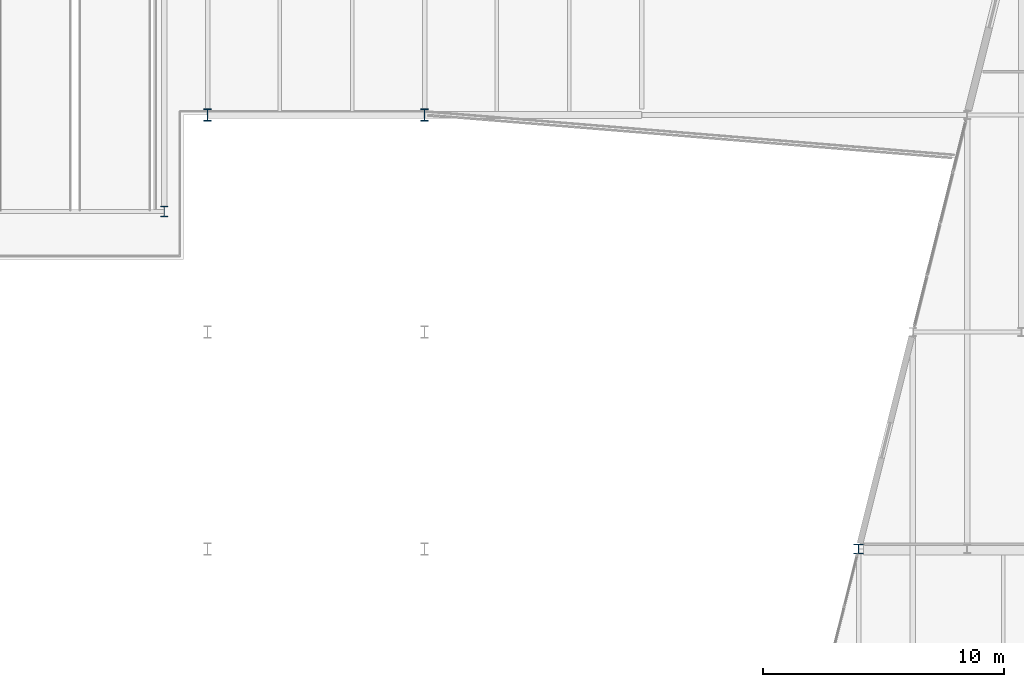
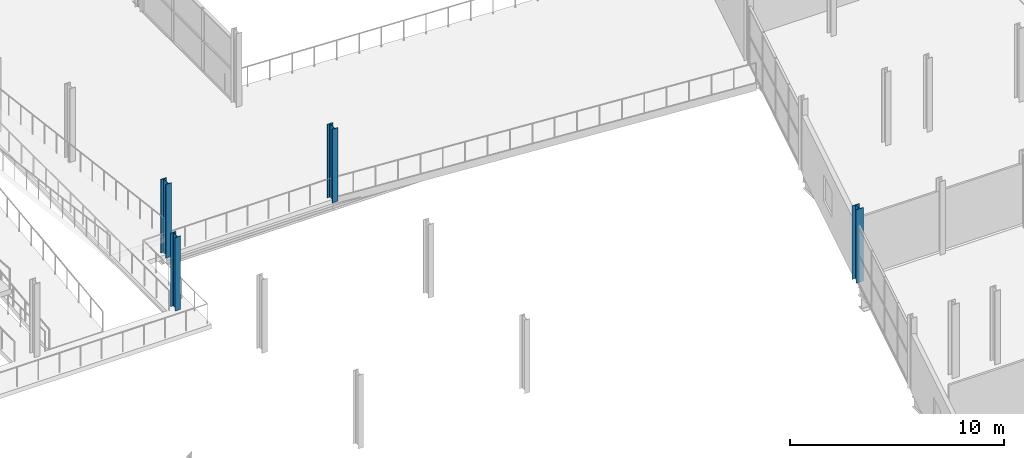
# One storey, part 7 of 135: 4 columns.
"""IFC4 building model written with IfcOpenShell, lengths in metres."""

from ifc_helpers import new_model, si_unit, direction, frame, origin, origin_2d, place, context, subcontext, project, spatial, i_section, extrude, material, material_profile, profile_set, type_object, element, save


model = new_model("IFC4")

# Units and contexts
model_context = context("Model", 3, precision=1e-05, world=origin(), true_north=direction((0.0, 1.0)))
body_context = subcontext(model_context, "Body", "Model", "MODEL_VIEW")
ifc_project = project(units=[si_unit("LENGTHUNIT", "METRE"), si_unit("AREAUNIT", "SQUARE_METRE"), si_unit("VOLUMEUNIT", "CUBIC_METRE"), si_unit("PLANEANGLEUNIT", "RADIAN"), si_unit("MASSUNIT", "GRAM", prefix="KILO")], contexts=[model_context])

# Site, building, storey
site_placement = place(None, origin())
site = spatial("IfcSite", under=ifc_project, at=site_placement, CompositionType="ELEMENT")
building_placement = place(site_placement, origin())
building = spatial("IfcBuilding", under=site, at=building_placement, Name="Deido Ridge Mobility Hub", CompositionType="ELEMENT")
storey_placement = place(building_placement, frame((0.0, 0.0, 4.199951171875)))
storey = spatial("IfcBuildingStorey", under=building, at=storey_placement, Name="L01", CompositionType="ELEMENT", Elevation=4.199951171875)

# Columns
ifc_material = material(Name="Steel S355J2 EN 10025-2", Category="steel")
ifc_material_profile_1 = material_profile(ifc_material, i_section(OverallWidth=0.39892578125, OverallDepth=0.39306640625, WebThickness=0.017578125, FlangeThickness=0.028076171875, FilletRadius=0.014892578125, at=origin_2d()), Name="HD 400x287")
ifc_profile_set_1 = profile_set([ifc_material_profile_1], Name="Steel S355J2 EN 10025-2")
column_type_1 = type_object("IfcColumnType", Name="COL-HD400-287", PredefinedType="COLUMN", material=ifc_profile_set_1)
column_1_placement = place(storey_placement, frame((126.0, 36.0, 0.0), z_axis=(0.0, 0.0, 1.0), x_axis=(1.0, 0.0, 0.0)))
element("IfcColumn", 1, at=column_1_placement, inside=storey, type_object=column_type_1, Name="Structural column C2", PredefinedType="COLUMN", context=body_context, shape_type="SweptSolid", body=[
    extrude(i_section(OverallWidth=0.39892578125, OverallDepth=0.39306640625, WebThickness=0.017578125, FlangeThickness=0.028076171875, FilletRadius=0.014892578125, at=origin_2d()), origin(), (0.0, 0.0, 1.0), 4.199951171875),
])
ifc_material_profile_2 = material_profile(ifc_material, i_section(OverallWidth=0.300048828125, OverallDepth=0.449951171875, WebThickness=0.013916015625, FlangeThickness=0.02587890625, FilletRadius=0.027099609375, at=origin_2d()), Name="HEB 450")
ifc_profile_set_2 = profile_set([ifc_material_profile_2], Name="Steel S355J2 EN 10025-2")
column_type_2 = type_object("IfcColumnType", Name="COL-HEB450", PredefinedType="COLUMN", material=ifc_profile_set_2)
column_2_placement = place(storey_placement, frame((97.199951171875, 50.0, 0.0), z_axis=(0.0, 0.0, 1.0), x_axis=(1.0, 0.0, 0.0)))
element("IfcColumn", 2, at=column_2_placement, inside=storey, type_object=column_type_2, Name="Structural column C6", PredefinedType="COLUMN", context=body_context, shape_type="SweptSolid", body=[
    extrude(i_section(OverallWidth=0.300048828125, OverallDepth=0.449951171875, WebThickness=0.013916015625, FlangeThickness=0.02587890625, FilletRadius=0.027099609375, at=origin_2d()), origin(), (0.0, 0.0, 1.0), 4.199951171875),
])
ifc_material_profile_3 = material_profile(ifc_material, i_section(OverallWidth=0.300048828125, OverallDepth=0.5, WebThickness=0.014404296875, FlangeThickness=0.028076171875, FilletRadius=0.027099609375, at=origin_2d()), Name="HEB 500")
ifc_profile_set_3 = profile_set([ifc_material_profile_3], Name="Steel S355J2 EN 10025-2")
column_type_3 = type_object("IfcColumnType", Name="COL-HEB500", PredefinedType="COLUMN", material=ifc_profile_set_3)
for number, where, z_axis, x_axis, name in (
    (3, (99.0, 54.0, 0.0), (0.0, 0.0, 1.0), (1.0, 0.0, 0.0), "Structural column C5"),
    (4, (108.0, 54.0, 0.0), (0.0, 0.0, 1.0), (1.0, 0.0, 0.0), "Structural column C5"),
):
    element("IfcColumn", number, at=place(storey_placement, frame(where, z_axis=z_axis, x_axis=x_axis)), inside=storey, type_object=column_type_3, Name=name, PredefinedType="COLUMN", context=body_context, shape_type="SweptSolid", body=[
        extrude(i_section(OverallWidth=0.300048828125, OverallDepth=0.5, WebThickness=0.014404296875, FlangeThickness=0.028076171875, FilletRadius=0.027099609375, at=origin_2d()), origin(), (0.0, 0.0, 1.0), 4.199951171875),
    ])

save(model, "model.ifc")
